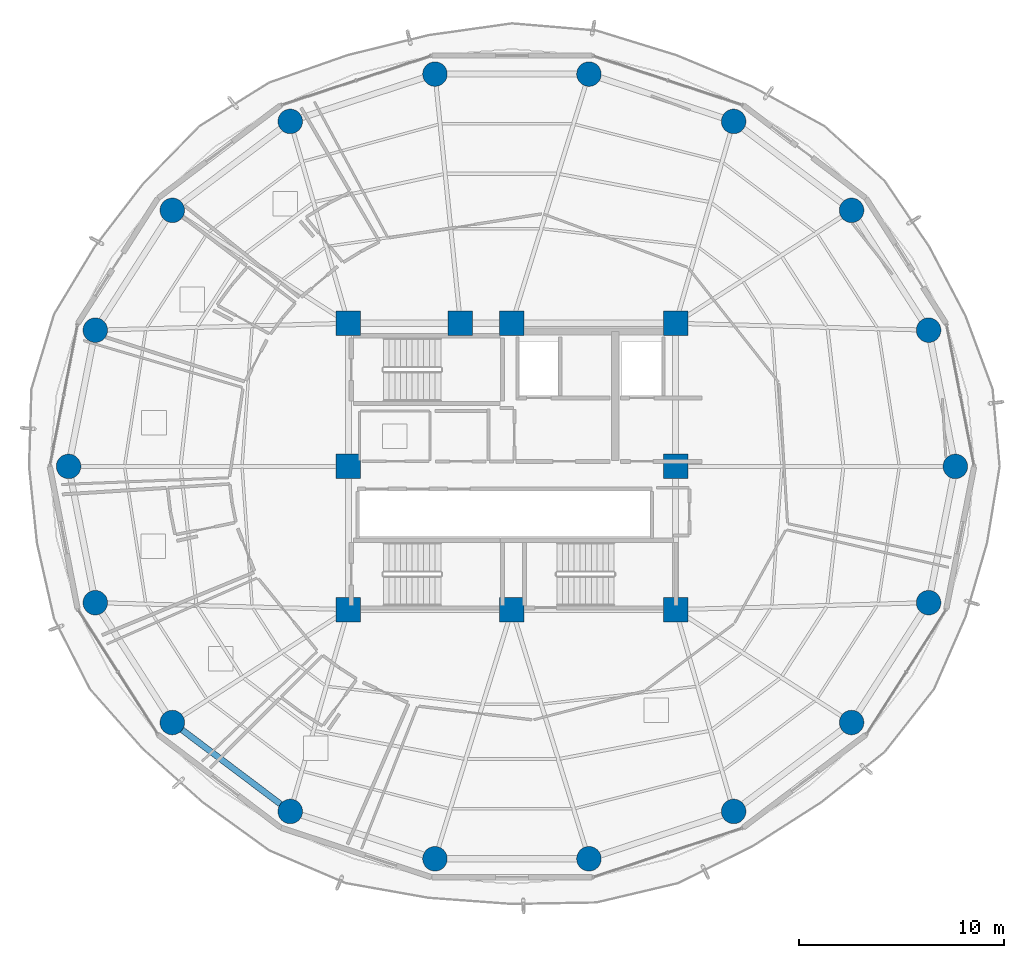
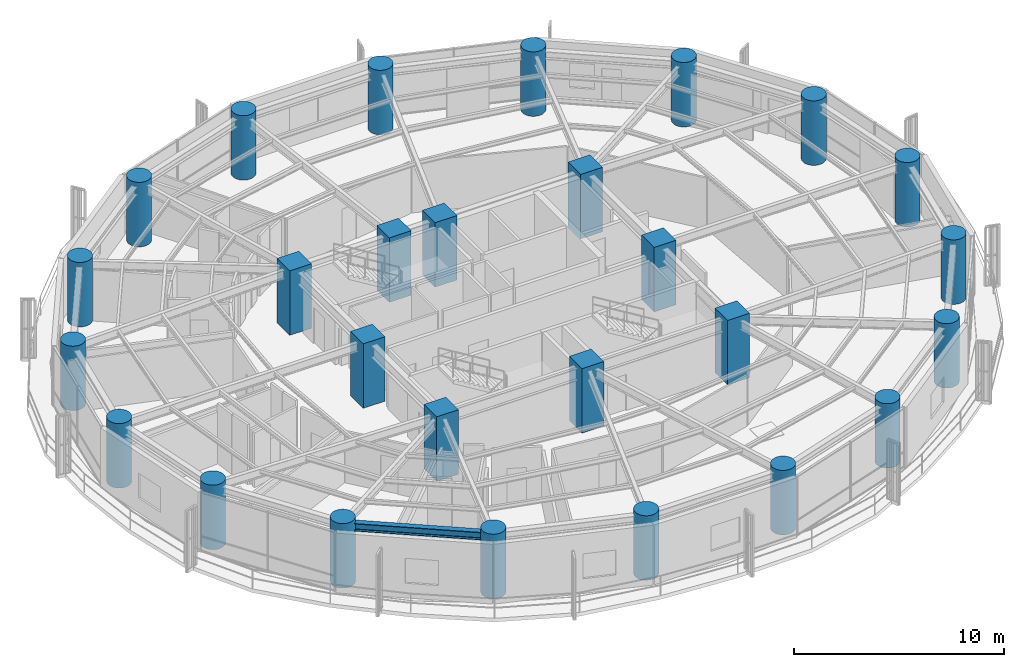
# One storey, part 1 of 27: 27 columns, 1 beam.
"""IFC4 building model written with IfcOpenShell, lengths in metres."""

from ifc_helpers import new_model, si_unit, direction, frame, origin, origin_2d, place, context, subcontext, project, spatial, rectangle, circle, i_section, extrude, material, material_profile, profile_set, type_object, element, save


model = new_model("IFC4")

# Units and contexts
model_context = context("Model", 3, precision=1e-05, world=origin(), true_north=direction((0.0, 1.0)))
body_context = subcontext(model_context, "Body", "Model", "MODEL_VIEW")
ifc_project = project(units=[si_unit("LENGTHUNIT", "METRE"), si_unit("AREAUNIT", "SQUARE_METRE"), si_unit("VOLUMEUNIT", "CUBIC_METRE"), si_unit("PLANEANGLEUNIT", "RADIAN"), si_unit("MASSUNIT", "GRAM", prefix="KILO")], contexts=[model_context])

# Site, building, storey
site_placement = place(None, origin())
site = spatial("IfcSite", under=ifc_project, at=site_placement, CompositionType="ELEMENT")
building_placement = place(site_placement, origin())
building = spatial("IfcBuilding", under=site, at=building_placement, Name="Kelanora Arch Commons", CompositionType="ELEMENT")
storey_placement = place(building_placement, frame((0.0, 0.0, 150.60009765625)))
storey = spatial("IfcBuildingStorey", under=building, at=storey_placement, Name="L38", CompositionType="ELEMENT", Elevation=150.60009765625)

# Columns
ifc_material_1 = material(Name="Concrete C50/60", Category="concrete")
ifc_material_profile_1 = material_profile(ifc_material_1, circle(Radius=0.60009765625, at=origin_2d()), Name="RCC1200")
ifc_profile_set_1 = profile_set([ifc_material_profile_1], Name="Concrete C50/60")
column_type_1 = type_object("IfcColumnType", Name="COL-PERIM-Z3", PredefinedType="COLUMN", material=ifc_profile_set_1)
for number, where, z_axis, x_axis, name in (
    (1, (95.679931640625, 58.0, 0.0), (0.0, 0.0, 1.0), (1.0, 0.0, 0.0), "Perimeter Ring Column CP-00 L38"),
    (2, (94.37255859375, 64.66259765625, 0.0), (0.0, 0.0, 1.0), (1.0, 0.0, 0.0), "Perimeter Ring Column CP-02 L38"),
    (3, (90.60791015625, 70.521484375, 0.0), (0.0, 0.0, 1.0), (1.0, 0.0, 0.0), "Perimeter Ring Column CP-04 L38"),
    (4, (84.840087890625, 74.8701171875, 0.0), (0.0, 0.0, 1.0), (1.0, 0.0, 0.0), "Perimeter Ring Column CP-06 L38"),
    (5, (77.7646484375, 77.18408203125, 0.0), (0.0, 0.0, 1.0), (1.0, 0.0, 0.0), "Perimeter Ring Column CP-08 L38"),
    (6, (70.2353515625, 77.18408203125, 0.0), (0.0, 0.0, 1.0), (1.0, 0.0, 0.0), "Perimeter Ring Column CP-10 L38"),
    (7, (63.159912109375, 74.8701171875, 0.0), (0.0, 0.0, 1.0), (1.0, 0.0, 0.0), "Perimeter Ring Column CP-12 L38"),
    (8, (57.39208984375, 70.521484375, 0.0), (0.0, 0.0, 1.0), (1.0, 0.0, 0.0), "Perimeter Ring Column CP-14 L38"),
    (9, (53.62744140625, 64.66259765625, 0.0), (0.0, 0.0, 1.0), (1.0, 0.0, 0.0), "Perimeter Ring Column CP-16 L38"),
    (10, (52.320068359375, 58.0, 0.0), (0.0, 0.0, 1.0), (1.0, 0.0, 0.0), "Perimeter Ring Column CP-18 L38"),
    (11, (53.62744140625, 51.33740234375, 0.0), (0.0, 0.0, 1.0), (1.0, 0.0, 0.0), "Perimeter Ring Column CP-20 L38"),
    (12, (57.39208984375, 45.478515625, 0.0), (0.0, 0.0, 1.0), (1.0, 0.0, 0.0), "Perimeter Ring Column CP-22 L38"),
    (13, (63.159912109375, 41.1298828125, 0.0), (0.0, 0.0, 1.0), (1.0, 0.0, 0.0), "Perimeter Ring Column CP-24 L38"),
    (14, (70.2353515625, 38.81591796875, 0.0), (0.0, 0.0, 1.0), (1.0, 0.0, 0.0), "Perimeter Ring Column CP-26 L38"),
    (15, (77.7646484375, 38.81591796875, 0.0), (0.0, 0.0, 1.0), (1.0, 0.0, 0.0), "Perimeter Ring Column CP-28 L38"),
    (16, (84.840087890625, 41.1298828125, 0.0), (0.0, 0.0, 1.0), (1.0, 0.0, 0.0), "Perimeter Ring Column CP-30 L38"),
    (17, (90.60791015625, 45.478515625, 0.0), (0.0, 0.0, 1.0), (1.0, 0.0, 0.0), "Perimeter Ring Column CP-32 L38"),
    (18, (94.37255859375, 51.33740234375, 0.0), (0.0, 0.0, 1.0), (1.0, 0.0, 0.0), "Perimeter Ring Column CP-34 L38"),
):
    element("IfcColumn", number, at=place(storey_placement, frame(where, z_axis=z_axis, x_axis=x_axis)), inside=storey, type_object=column_type_1, Name=name, PredefinedType="COLUMN", context=body_context, shape_type="SweptSolid", body=[
        extrude(circle(Radius=0.60009765625, at=origin_2d()), origin(), (0.0, 0.0, 1.0), 3.75),
    ])
ifc_material_2 = material(Name="Concrete C60/75", Category="concrete")
ifc_material_profile_2 = material_profile(ifc_material_2, rectangle(XDim=1.199951171875, YDim=1.199951171875, at=origin_2d()), Name="RC1200x1200")
ifc_profile_set_2 = profile_set([ifc_material_profile_2], Name="Concrete C60/75")
column_type_2 = type_object("IfcColumnType", Name="COL-PIL-MID", PredefinedType="PILASTER", material=ifc_profile_set_2)
for number, where, z_axis, x_axis, name in (
    (19, (66.0, 51.0, 0.0), (0.0, 0.0, 1.0), (1.0, 0.0, 0.0), "Core Pilaster Column CP1 L38"),
    (20, (74.0, 51.0, 0.0), (0.0, 0.0, 1.0), (1.0, 0.0, 0.0), "Core Pilaster Column CP2 L38"),
    (21, (82.0, 51.0, 0.0), (0.0, 0.0, 1.0), (1.0, 0.0, 0.0), "Core Pilaster Column CP3 L38"),
    (22, (82.0, 58.0, 0.0), (0.0, 0.0, 1.0), (1.0, 0.0, 0.0), "Core Pilaster Column CP4 L38"),
    (23, (82.0, 65.0, 0.0), (0.0, 0.0, 1.0), (1.0, 0.0, 0.0), "Core Pilaster Column CP5 L38"),
    (24, (74.0, 65.0, 0.0), (0.0, 0.0, 1.0), (1.0, 0.0, 0.0), "Core Pilaster Column CP6 L38"),
    (25, (71.47998046875, 65.0, 0.0), (0.0, 0.0, 1.0), (1.0, 0.0, 0.0), "Core Pilaster Column CP9 L38"),
    (26, (66.0, 65.0, 0.0), (0.0, 0.0, 1.0), (1.0, 0.0, 0.0), "Core Pilaster Column CP7 L38"),
    (27, (66.0, 58.0, 0.0), (0.0, 0.0, 1.0), (1.0, 0.0, 0.0), "Core Pilaster Column CP8 L38"),
):
    element("IfcColumn", number, at=place(storey_placement, frame(where, z_axis=z_axis, x_axis=x_axis)), inside=storey, type_object=column_type_2, Name=name, PredefinedType="PILASTER", context=body_context, shape_type="SweptSolid", body=[
        extrude(rectangle(XDim=1.199951171875, YDim=1.199951171875, at=origin_2d()), origin(), (0.0, 0.0, 1.0), 3.75),
    ])

# Beam
ifc_material_3 = material(Name="Steel S355", Category="steel")
ifc_material_profile_3 = material_profile(ifc_material_3, i_section(OverallWidth=0.300048828125, OverallDepth=0.449951171875, WebThickness=0.013916015625, FlangeThickness=0.02587890625, FilletRadius=0.027099609375, at=origin_2d()), Name="HEB450")
ifc_profile_set_3 = profile_set([ifc_material_profile_3], Name="Steel S355")
beam_type = type_object("IfcBeamType", Name="BM-SPN-Z3", PredefinedType="SPANDREL", material=ifc_profile_set_3)
beam_placement = place(storey_placement, frame((57.39208984375, 45.478515625, 3.264892578125), z_axis=(0.798484645564, -0.60201517489, 0.0), x_axis=(0.60201517489, 0.798484645564, 0.0)))
element("IfcBeam", 28, at=beam_placement, inside=storey, type_object=beam_type, Name="Perimeter Spandrel Beam BS-22 L38", PredefinedType="SPANDREL", context=body_context, shape_type="SweptSolid", body=[
    extrude(i_section(OverallWidth=0.300048828125, OverallDepth=0.449951171875, WebThickness=0.013916015625, FlangeThickness=0.02587890625, FilletRadius=0.027099609375, at=origin_2d()), origin(), (0.0, 0.0, 1.0), 7.223388671875),
])

save(model, "model.ifc")
